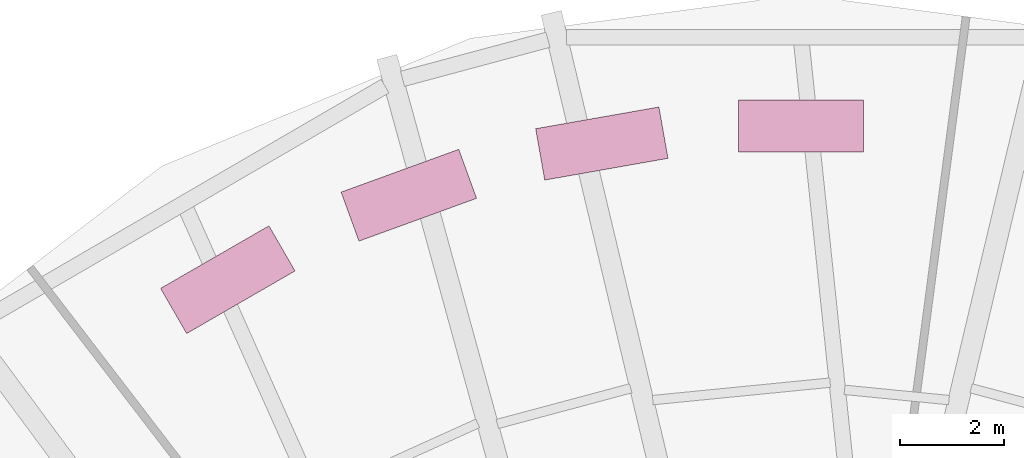
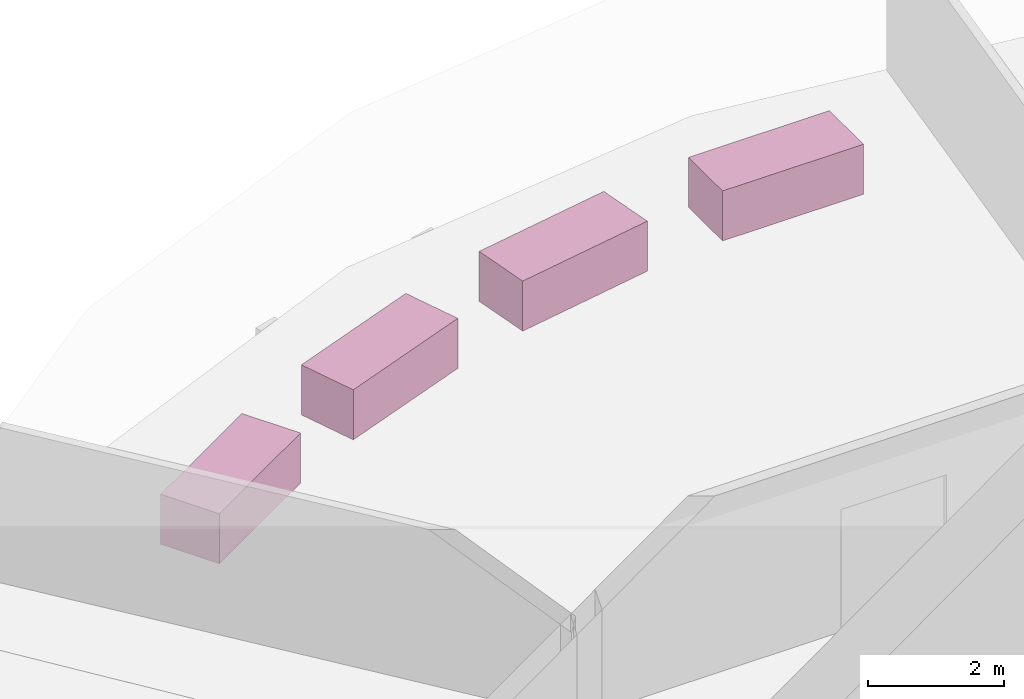
# One storey, part 7 of 7: 4 furniture elements.
"""IFC4 building model written with IfcOpenShell, lengths in metres."""

import ifcopenshell
import ifcopenshell.guid

model = None  # the IFC model being written
_history = None  # IfcOwnerHistory: only IFC2X3 demands one
_inside = {}  # id of a spatial element -> (the spatial element, [elements in it])
_under = {}  # id of a project, library or spatial element -> (it, [spatial elements below it])
_declared = {}  # id of a project -> (the project, [libraries it declares])
_typed = {}  # id of a type object -> (the type object, [elements of that type])
_made_of = {}  # id of a material, layer set ... -> (it, [elements and type objects made of it])


def new_model(schema):
    """Start an empty IFC model of exactly this schema.

    Asked for "IFC4X3", IfcOpenShell would pick the latest addendum, in which some entities
    have other attributes; the version numbers below select the first issue.
    IFC2X3 requires an IfcOwnerHistory on every rooted entity: one is made here for all.
    """
    global model, _history
    if schema == "IFC4X3":
        model = ifcopenshell.file(schema_version=(4, 3, 0, 0))
    else:
        model = ifcopenshell.file(schema=schema)
    _inside.clear()
    _under.clear()
    _declared.clear()
    _typed.clear()
    _made_of.clear()
    _history = None
    if model.schema == "IFC2X3":
        org = make("IfcOrganization", Name="unknown")
        user = make(
            "IfcPersonAndOrganization",
            ThePerson=make("IfcPerson", FamilyName="unknown"),
            TheOrganization=org,
        )
        app = make(
            "IfcApplication",
            ApplicationDeveloper=org,
            Version="unknown",
            ApplicationFullName="unknown",
            ApplicationIdentifier="unknown",
        )
        _history = make(
            "IfcOwnerHistory",
            OwningUser=user,
            OwningApplication=app,
            ChangeAction="ADDED",
            CreationDate=0,
        )
    return model


def make(cls, **values):
    """One entity of the class cls with the attributes given. An attribute that is None is left unset."""
    return model.create_entity(
        cls, **{name: value for name, value in values.items() if value is not None}
    )


def rooted(cls, **values):
    """An entity with a GlobalId (a new one), such as an element, a storey or a relation."""
    return make(cls, GlobalId=ifcopenshell.guid.new(), OwnerHistory=_history, **values)


def si_unit(unit_type, name, prefix=None):
    """IfcSIUnit, for example si_unit("LENGTHUNIT", "METRE", prefix="MILLI")."""
    return make("IfcSIUnit", UnitType=unit_type, Prefix=prefix, Name=name)


def assignment(units):
    """IfcUnitAssignment: the units of a project."""
    return None if units is None else make("IfcUnitAssignment", Units=units)


def point(xyz):
    """IfcCartesianPoint."""
    return None if xyz is None else make("IfcCartesianPoint", Coordinates=xyz)


def direction(xyz):
    """IfcDirection."""
    return None if xyz is None else make("IfcDirection", DirectionRatios=xyz)


def frame(location, z_axis=None, x_axis=None):
    """IfcAxis2Placement3D, a coordinate frame: its origin and axes. An axis left out is left unset."""
    return make(
        "IfcAxis2Placement3D",
        Location=point(location),
        Axis=direction(z_axis),
        RefDirection=direction(x_axis),
    )


def frame_2d(location, x_axis=None):
    """IfcAxis2Placement2D, a coordinate frame in the plane: its origin and x axis."""
    return make(
        "IfcAxis2Placement2D", Location=point(location), RefDirection=direction(x_axis)
    )


def origin():
    """The frame at (0, 0, 0) with its axes left unset."""
    return frame((0.0, 0.0, 0.0))


def origin_2d():
    """The frame at (0, 0) in the plane with its x axis left unset."""
    return frame_2d((0.0, 0.0))


def place(relative_to, where):
    """IfcLocalPlacement: puts the frame where relative to a parent placement (None: the world)."""
    return make(
        "IfcLocalPlacement", PlacementRelTo=relative_to, RelativePlacement=where
    )


def context(
    kind, dimensions, precision=None, world=None, true_north=None, identifier=None
):
    """IfcGeometricRepresentationContext, for example the 3D "Model" context."""
    return make(
        "IfcGeometricRepresentationContext",
        ContextIdentifier=identifier,
        ContextType=kind,
        CoordinateSpaceDimension=dimensions,
        Precision=precision,
        WorldCoordinateSystem=world,
        TrueNorth=true_north,
    )


def subcontext(parent, identifier, kind, view, scale=None):
    """IfcGeometricRepresentationSubContext, for example "Body" below "Model"."""
    return make(
        "IfcGeometricRepresentationSubContext",
        ContextIdentifier=identifier,
        ContextType=kind,
        ParentContext=parent,
        TargetScale=scale,
        TargetView=view,
    )


def project(units=None, contexts=None):
    """IfcProject with its units and contexts."""
    return rooted(
        "IfcProject",
        Name="project",
        RepresentationContexts=contexts,
        UnitsInContext=assignment(units),
    )


def spatial(cls, under=None, at=None, **own):
    """A site, building, storey or space (cls), placed at a placement, below another one or the project."""
    s = rooted(cls, ObjectPlacement=at, **own)
    if under is not None:
        _under.setdefault(under.id(), (under, []))[1].append(s)
    return s


def profile(cls, at=None, kind="AREA", **sizes):
    """A parametric profile (cls). Its sizes go by their IFC names, for example OverallWidth=200.0."""
    return make(cls, ProfileType=kind, Position=at, **sizes)


def rectangle(**sizes):
    """IfcRectangleProfileDef."""
    return profile("IfcRectangleProfileDef", **sizes)


def extrude(swept, where, along, depth):
    """IfcExtrudedAreaSolid: the profile swept, set in the frame where, extruded along a direction by depth."""
    return make(
        "IfcExtrudedAreaSolid",
        SweptArea=swept,
        Position=where,
        ExtrudedDirection=direction(along),
        Depth=depth,
    )


def shape(context_of_items, identifier, shape_type, items):
    """IfcShapeRepresentation: the items that make up one representation, for example the "Body"."""
    return make(
        "IfcShapeRepresentation",
        ContextOfItems=context_of_items,
        RepresentationIdentifier=identifier,
        RepresentationType=shape_type,
        Items=items,
    )


def made_of(thing, what):
    """Note that an element or type object is made of a material, layer set ...; save() writes the relation."""
    if what is not None:
        _made_of.setdefault(what.id(), (what, []))[1].append(thing)
    return thing


def element(
    cls,
    number,
    at=None,
    inside=None,
    cuts=None,
    type_object=None,
    material=None,
    context=None,
    identifier="Body",
    shape_type=None,
    held_by="IfcProductDefinitionShape",
    body=None,
    shapes=None,
    **own,
):
    """One element of the class cls, such as IfcWall. Its Tag is "e" and its number.

    at: its placement. inside: the storey or other place that contains it. cuts: it is an
    opening in that element (IfcRelVoidsElement). A single representation is given by context,
    identifier, shape_type and body (its items); several are given by shapes. held_by: the class
    of the entity that holds the representations. save() writes the other relations.
    """
    e = rooted(cls, Tag="e%d" % number, ObjectPlacement=at, **own)
    if body is not None:
        shapes = [shape(context, identifier, shape_type, body)]
    if shapes is not None:
        e.Representation = make(held_by, Representations=shapes)
    if inside is not None:
        _inside.setdefault(inside.id(), (inside, []))[1].append(e)
    if cuts is not None:
        rooted(
            "IfcRelVoidsElement", RelatingBuildingElement=cuts, RelatedOpeningElement=e
        )
    if type_object is not None:
        _typed.setdefault(type_object.id(), (type_object, []))[1].append(e)
    return made_of(e, material)


def aggregate(whole, parts):
    """IfcRelAggregates: a whole, such as a stair, and the parts it consists of."""
    return rooted("IfcRelAggregates", RelatingObject=whole, RelatedObjects=parts)


def save(model, path):
    """Write the relations noted so far, then the file.

    IfcRelAggregates (storeys below a building ...), IfcRelContainedInSpatialStructure (elements
    in a storey), IfcRelDefinesByType, IfcRelAssociatesMaterial and IfcRelDeclares: one each for
    every whole, place, type object, material and project.
    """
    for whole, parts in _under.values():
        aggregate(whole, parts)
    for where, things in _inside.values():
        rooted(
            "IfcRelContainedInSpatialStructure",
            RelatedElements=things,
            RelatingStructure=where,
        )
    for kind, things in _typed.values():
        rooted("IfcRelDefinesByType", RelatedObjects=things, RelatingType=kind)
    for what, things in _made_of.values():
        rooted("IfcRelAssociatesMaterial", RelatedObjects=things, RelatingMaterial=what)
    for by, libraries in _declared.values():
        rooted("IfcRelDeclares", RelatingContext=by, RelatedDefinitions=libraries)
    model.write(path)


model = new_model("IFC4")

# Units and contexts
model_context = context("Model", 3, precision=1e-05, world=origin(), true_north=direction((0.0, 1.0)))
body_context = subcontext(model_context, "Body", "Model", "MODEL_VIEW")
ifc_project = project(units=[si_unit("LENGTHUNIT", "METRE"), si_unit("AREAUNIT", "SQUARE_METRE"), si_unit("VOLUMEUNIT", "CUBIC_METRE"), si_unit("PLANEANGLEUNIT", "RADIAN"), si_unit("MASSUNIT", "GRAM", prefix="KILO")], contexts=[model_context])

# Site, building, storey
site_placement = place(None, origin())
site = spatial("IfcSite", under=ifc_project, at=site_placement, CompositionType="ELEMENT")
building_placement = place(site_placement, origin())
building = spatial("IfcBuilding", under=site, at=building_placement, Name="Golbaran Civic Tower", CompositionType="ELEMENT")
storey_placement = place(building_placement, frame((0.0, 0.0, 106.0)))
storey = spatial("IfcBuildingStorey", under=building, at=storey_placement, Name="L25", CompositionType="ELEMENT", Elevation=106.0)

# Furniture
for number, where, z_axis, x_axis, name in (
    (1, (-0.000732421875, 21.97802734375, 0.0), (0.0, 0.0, 1.0), (-0.999999999516, -3.1119221e-05, 0.0), "Sky garden planter L25-1"),
    (2, (-3.817138671875, 21.64404296875, 0.0), (0.0, 0.0, 1.0), (-0.984802348739, -0.173678824033, 0.0), "Sky garden planter L25-2"),
    (3, (-7.517578125, 20.65234375, 0.0), (0.0, 0.0, 1.0), (-0.939681976931, -0.342049385662, 0.0), "Sky garden planter L25-3"),
    (4, (-10.989501953125, 19.033203125, 0.0), (0.0, 0.0, 1.0), (-0.866009843755, -0.500026949793, 0.0), "Sky garden planter L25-4"),
):
    element("IfcFurniture", number, at=place(storey_placement, frame(where, z_axis=z_axis, x_axis=x_axis)), inside=storey, Name=name, ObjectType="PLANTER", PredefinedType="USERDEFINED", context=body_context, shape_type="SweptSolid", body=[
        extrude(rectangle(XDim=2.39990234375, YDim=1.0, at=origin_2d()), origin(), (0.0, 0.0, 1.0), 0.89990234375),
    ])

save(model, "model.ifc")
